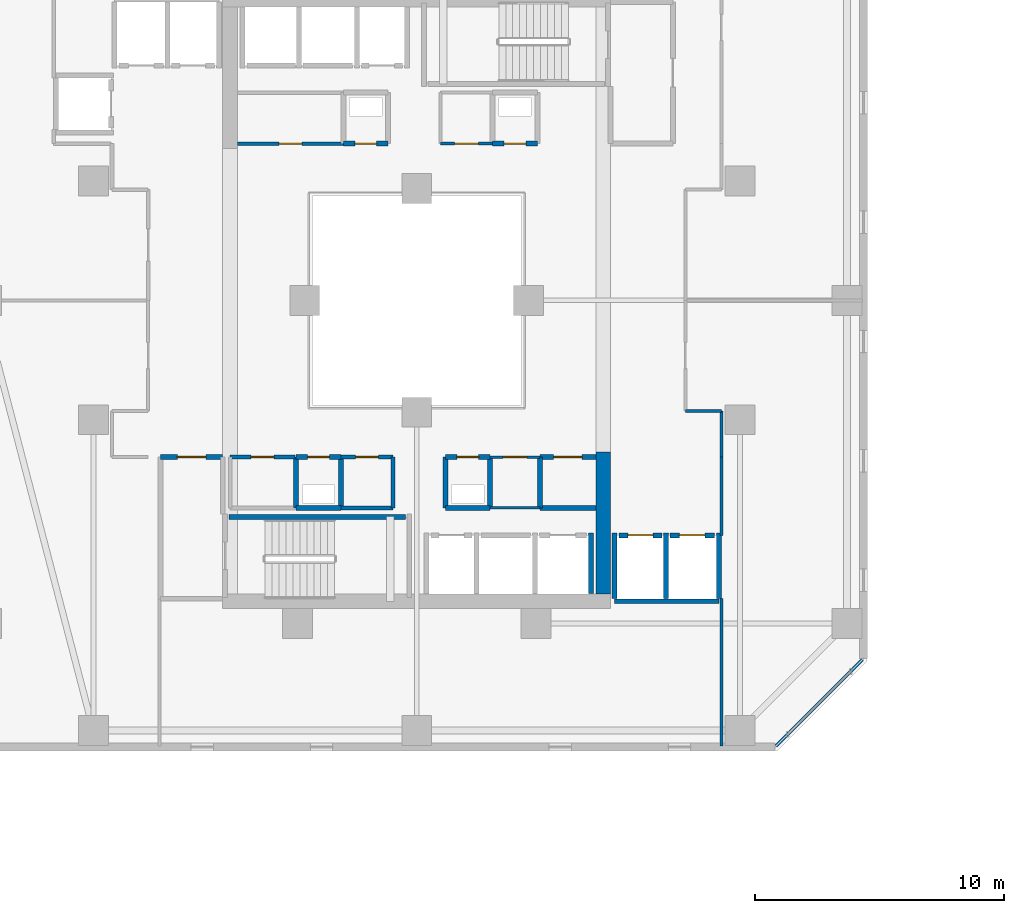
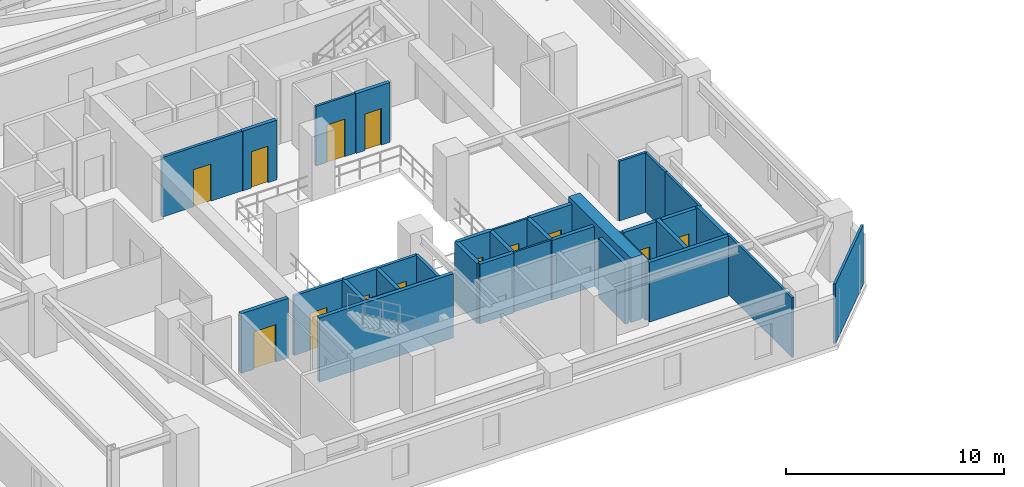
# One storey, part 20 of 33: 36 walls, 13 doors, 13 openings.
"""IFC4 building model written with IfcOpenShell, lengths in metres."""

from ifc_helpers import new_model, si_unit, direction, frame, frame_2d, origin, place, context, subcontext, project, spatial, rectangle, extrude, material, layer, layer_set, type_object, element, fill, save


model = new_model("IFC4")

# Units and contexts
model_context = context("Model", 3, precision=1e-05, world=origin(), true_north=direction((0.0, 1.0)))
body_context = subcontext(model_context, "Body", "Model", "MODEL_VIEW")
ifc_project = project(units=[si_unit("LENGTHUNIT", "METRE"), si_unit("AREAUNIT", "SQUARE_METRE"), si_unit("VOLUMEUNIT", "CUBIC_METRE"), si_unit("PLANEANGLEUNIT", "RADIAN"), si_unit("MASSUNIT", "GRAM", prefix="KILO")], contexts=[model_context])

# Site, building, storey
site_placement = place(None, origin())
site = spatial("IfcSite", under=ifc_project, at=site_placement, CompositionType="ELEMENT")
building_placement = place(site_placement, origin())
building = spatial("IfcBuilding", under=site, at=building_placement, Name="Thornwick Lancets Civic Towers", CompositionType="ELEMENT")
storey_placement = place(building_placement, frame((0.0, 0.0, 105.300048828125)))
storey = spatial("IfcBuildingStorey", under=building, at=storey_placement, Name="L27", CompositionType="ELEMENT", Elevation=105.300048828125)

# Wall, opening, door
ifc_material_1 = material(Name="Concrete blockwork C40/50", Category="masonry")
ifc_layer_1 = layer(ifc_material_1, 0.199951171875, Name="Concrete blockwork C40/50")
ifc_layer_set_1 = layer_set([ifc_layer_1], Name="Concrete blockwork C40/50")
wall_type_1 = type_object("IfcWallType", Name="WALL_COMP_200", PredefinedType="STANDARD", material=ifc_layer_set_1)
wall_1_placement = place(storey_placement, frame((33.6298828125, 17.550048828125, 0.0), z_axis=(0.0, 0.0, 1.0), x_axis=(1.0, 0.0, 0.0)))
wall_1 = element("IfcWall", 1, at=wall_1_placement, inside=storey, type_object=wall_type_1, Name="L27 Hoistway Front Wall PL-AL2", PredefinedType="STANDARD", context=body_context, shape_type="SweptSolid", body=[
    extrude(rectangle(XDim=1.740234375, YDim=0.199951171875, at=frame_2d((0.8701171875, 0.0))), origin(), (0.0, 0.0, 1.0), 3.33984375),
])
opening_1_placement = place(wall_1_placement, frame((0.360107421875, 0.0, 0.0)))
opening_1 = element("IfcOpeningElement", 2, at=opening_1_placement, cuts=wall_1, Name="Opening LD-PL-AL2", PredefinedType="OPENING", context=body_context, shape_type="SweptSolid", body=[
    extrude(rectangle(XDim=1.02001953125, YDim=2.06005859375, at=frame_2d((0.510009765625, 1.030029296875))), frame((0.0, 0.10986328125, 0.0), z_axis=(0.0, -1.0, 0.0), x_axis=(1.0, 0.0, 0.0)), (0.0, 0.0, 1.0), 0.219970703125),
])
ifc_material_2 = material(Name="Brushed bronze stainless steel", Category="steel")
door_type_1 = type_object("IfcDoorType", Name="DOOR_LIFT_SLIDE", OperationType="SLIDING_TO_LEFT", PredefinedType="DOOR", material=ifc_material_2)
door_1_placement = place(opening_1_placement, origin())
door_1 = element("IfcDoor", 3, at=door_1_placement, inside=storey, type_object=door_type_1, Name="L27 Sliding Lift Landing Door LD-PL-AL2", OperationType="SLIDING_TO_LEFT", OverallHeight=2.06005859375, OverallWidth=1.02001953125, PredefinedType="DOOR", context=body_context, shape_type="SweptSolid", body=[
    extrude(rectangle(XDim=1.02001953125, YDim=2.06005859375, at=frame_2d((0.510009765625, 1.030029296875))), frame((0.0, 0.02490234375, 0.0), z_axis=(0.0, -1.0, 0.0), x_axis=(1.0, 0.0, 0.0)), (0.0, 0.0, 1.0), 0.050048828125),
])
fill(opening_1, door_1)

wall_2_placement = place(storey_placement, frame((35.679931640625, 17.550048828125, 0.0), z_axis=(0.0, 0.0, 1.0), x_axis=(1.0, 0.0, 0.0)))
wall_2 = element("IfcWall", 4, at=wall_2_placement, inside=storey, type_object=wall_type_1, Name="L27 Hoistway Front Wall PL-AL3", PredefinedType="STANDARD", context=body_context, shape_type="SweptSolid", body=[
    extrude(rectangle(XDim=1.7900390625, YDim=0.199951171875, at=frame_2d((0.89501953125, 0.0))), origin(), (0.0, 0.0, 1.0), 3.33984375),
])
opening_2_placement = place(wall_2_placement, frame((0.385009765625, 0.0, 0.0)))
opening_2 = element("IfcOpeningElement", 5, at=opening_2_placement, cuts=wall_2, Name="Opening LD-PL-AL3", PredefinedType="OPENING", context=body_context, shape_type="SweptSolid", body=[
    extrude(rectangle(XDim=1.02001953125, YDim=2.06005859375, at=frame_2d((0.510009765625, 1.030029296875))), frame((0.0, 0.10986328125, 0.0), z_axis=(0.0, -1.0, 0.0), x_axis=(1.0, 0.0, 0.0)), (0.0, 0.0, 1.0), 0.219970703125),
])
door_2_placement = place(opening_2_placement, origin())
door_2 = element("IfcDoor", 6, at=door_2_placement, inside=storey, type_object=door_type_1, Name="L27 Sliding Lift Landing Door LD-PL-AL3", OperationType="SLIDING_TO_LEFT", OverallHeight=2.06005859375, OverallWidth=1.02001953125, PredefinedType="DOOR", context=body_context, shape_type="SweptSolid", body=[
    extrude(rectangle(XDim=1.02001953125, YDim=2.06005859375, at=frame_2d((0.510009765625, 1.030029296875))), frame((0.0, 0.02490234375, 0.0), z_axis=(0.0, -1.0, 0.0), x_axis=(1.0, 0.0, 0.0)), (0.0, 0.0, 1.0), 0.050048828125),
])
fill(opening_2, door_2)

# Walls
wall_3_placement = place(storey_placement, frame((32.5, 15.2119140625, 0.0), z_axis=(0.0, 0.0, 1.0), x_axis=(0.0, 1.0, 0.0)))
element("IfcWall", 7, at=wall_3_placement, inside=storey, type_object=wall_type_1, Name="L27 Hoistway Shaft Wall PL-AL1 E", PredefinedType="STANDARD", context=body_context, shape_type="SweptSolid", body=[
    extrude(rectangle(XDim=2.43603515625, YDim=0.199951171875, at=frame_2d((1.218017578125, 0.0))), origin(), (0.0, 0.0, 1.0), 3.33984375),
])
wall_4_placement = place(storey_placement, frame((33.451904296875, 14.89990234375, 0.0), z_axis=(0.0, 0.0, 1.0), x_axis=(1.0, 0.0, 0.0)))
element("IfcWall", 8, at=wall_4_placement, inside=storey, type_object=wall_type_1, Name="L27 Hoistway Shaft Wall PL-AL2 S", PredefinedType="STANDARD", context=body_context, shape_type="SweptSolid", body=[
    extrude(rectangle(XDim=4.196044921875, YDim=0.199951171875, at=frame_2d((2.09814453125, 0.0))), origin(), (0.0, 0.0, 1.0), 3.33984375),
])
for number, where, z_axis, x_axis, name in (
    (9, (35.52490234375, 15.011962890625, 0.0), (0.0, 0.0, 1.0), (0.0, 1.0, 0.0), "L27 Hoistway Shaft Wall PL-AL2 E"),
    (10, (33.449951171875, 15.011962890625, 0.0), (0.0, 0.0, 1.0), (0.0, 1.0, 0.0), "L27 Hoistway Shaft Wall PL-AL2 W"),
    (11, (37.64990234375, 15.011962890625, 0.0), (0.0, 0.0, 1.0), (0.0, 1.0, 0.0), "L27 Hoistway Shaft Wall PL-AL3 E"),
):
    element("IfcWall", number, at=place(storey_placement, frame(where, z_axis=z_axis, x_axis=x_axis)), inside=storey, type_object=wall_type_1, Name=name, PredefinedType="STANDARD", context=body_context, shape_type="SweptSolid", body=[
        extrude(rectangle(XDim=2.635986328125, YDim=0.199951171875, at=frame_2d((1.31787109375, 0.0))), origin(), (0.0, 0.0, 1.0), 3.33984375),
    ])

# Wall, opening, door
wall_5_placement = place(storey_placement, frame((17.699951171875, 20.699951171875, 0.0), z_axis=(0.0, 0.0, 1.0), x_axis=(-1.0, 0.0, 0.0)))
wall_5 = element("IfcWall", 12, at=wall_5_placement, inside=storey, type_object=wall_type_1, Name="L27 Partition L27-A-FFLOB1 E3", PredefinedType="STANDARD", context=body_context, shape_type="SweptSolid", body=[
    extrude(rectangle(XDim=2.5, YDim=0.199951171875, at=frame_2d((1.25, 0.0))), origin(), (0.0, 0.0, 1.0), 3.33984375),
])
opening_3_placement = place(wall_5_placement, frame((0.675048828125, 0.0, 0.0)))
opening_3 = element("IfcOpeningElement", 13, at=opening_3_placement, cuts=wall_5, Name="Opening D-L27-1233", PredefinedType="OPENING", context=body_context, shape_type="SweptSolid", body=[
    extrude(rectangle(XDim=1.14990234375, YDim=2.10009765625, at=frame_2d((0.574951171875, 1.050048828125))), frame((0.0, 0.10986328125, 0.0), z_axis=(0.0, -1.0, 0.0), x_axis=(1.0, 0.0, 0.0)), (0.0, 0.0, 1.0), 0.219970703125),
])
ifc_material_3 = material(Name="Glazed fire-resisting steel", Category="steel")
door_type_2 = type_object("IfcDoorType", Name="DOOR_LOBBY_FD60", OperationType="NOTDEFINED", PredefinedType="DOOR", material=ifc_material_3)
door_3_placement = place(opening_3_placement, origin())
door_3 = element("IfcDoor", 14, at=door_3_placement, inside=storey, type_object=door_type_2, Name="L27 South Firefighting Lobby 1 Door", OperationType="SINGLE_SWING_RIGHT", OverallHeight=2.10009765625, OverallWidth=1.14990234375, PredefinedType="DOOR", context=body_context, shape_type="SweptSolid", body=[
    extrude(rectangle(XDim=1.14990234375, YDim=2.10009765625, at=frame_2d((0.574951171875, 1.050048828125))), frame((0.0, 0.02490234375, 0.0), z_axis=(0.0, -1.0, 0.0), x_axis=(1.0, 0.0, 0.0)), (0.0, 0.0, 1.0), 0.050048828125),
])
fill(opening_3, door_3)

# Walls
wall_6_placement = place(storey_placement, frame((26.64990234375, 18.64990234375, 0.0), z_axis=(0.0, 0.0, 1.0), x_axis=(1.0, 0.0, 0.0)))
element("IfcWall", 15, at=wall_6_placement, inside=storey, type_object=wall_type_1, Name="L27 Partition L27-A-DUCT1 E1", PredefinedType="STANDARD", context=body_context, shape_type="SweptSolid", body=[
    extrude(rectangle(XDim=1.800048828125, YDim=0.199951171875, at=frame_2d((0.89990234375, 0.0))), origin(), (0.0, 0.0, 1.0), 3.33984375),
])
wall_7_placement = place(storey_placement, frame((28.449951171875, 18.64990234375, 0.0), z_axis=(0.0, 0.0, 1.0), x_axis=(0.0, 1.0, 0.0)))
element("IfcWall", 16, at=wall_7_placement, inside=storey, type_object=wall_type_1, Name="L27 Partition L27-A-DUCT1 E2", PredefinedType="STANDARD", context=body_context, shape_type="SweptSolid", body=[
    extrude(rectangle(XDim=2.050048828125, YDim=0.199951171875, at=frame_2d((1.02490234375, 0.0))), origin(), (0.0, 0.0, 1.0), 3.33984375),
])

# Wall, opening, door
wall_8_placement = place(storey_placement, frame((28.449951171875, 20.699951171875, 0.0), z_axis=(0.0, 0.0, 1.0), x_axis=(-1.0, 0.0, 0.0)))
wall_8 = element("IfcWall", 17, at=wall_8_placement, inside=storey, type_object=wall_type_1, Name="L27 Partition L27-A-DUCT1 E3", PredefinedType="STANDARD", context=body_context, shape_type="SweptSolid", body=[
    extrude(rectangle(XDim=1.800048828125, YDim=0.199951171875, at=frame_2d((0.89990234375, 0.0))), origin(), (0.0, 0.0, 1.0), 3.33984375),
])
opening_4_placement = place(wall_8_placement, frame((0.4599609375, 0.0, 0.0)))
opening_4 = element("IfcOpeningElement", 18, at=opening_4_placement, cuts=wall_8, Name="Opening D-L27-1235", PredefinedType="OPENING", context=body_context, shape_type="SweptSolid", body=[
    extrude(rectangle(XDim=0.8798828125, YDim=2.0400390625, at=frame_2d((0.43994140625, 1.02001953125))), frame((0.0, 0.10986328125, 0.0), z_axis=(0.0, -1.0, 0.0), x_axis=(1.0, 0.0, 0.0)), (0.0, 0.0, 1.0), 0.219970703125),
])
ifc_material_4 = material(Name="Steel riser access doorset", Category="steel")
door_type_3 = type_object("IfcDoorType", Name="DOOR_RISER_850", OperationType="NOTDEFINED", PredefinedType="DOOR", material=ifc_material_4)
door_4_placement = place(opening_4_placement, origin())
door_4 = element("IfcDoor", 19, at=door_4_placement, inside=storey, type_object=door_type_3, Name="L27 South Service Duct 1 Door", OperationType="SINGLE_SWING_RIGHT", OverallHeight=2.0400390625, OverallWidth=0.8798828125, PredefinedType="DOOR", context=body_context, shape_type="SweptSolid", body=[
    extrude(rectangle(XDim=0.8798828125, YDim=2.0400390625, at=frame_2d((0.43994140625, 1.02001953125))), frame((0.0, 0.02490234375, 0.0), z_axis=(0.0, -1.0, 0.0), x_axis=(1.0, 0.0, 0.0)), (0.0, 0.0, 1.0), 0.050048828125),
])
fill(opening_4, door_4)

# Walls
wall_9_placement = place(storey_placement, frame((26.64990234375, 20.699951171875, 0.0), z_axis=(0.0, 0.0, 1.0), x_axis=(0.0, -1.0, 0.0)))
element("IfcWall", 20, at=wall_9_placement, inside=storey, type_object=wall_type_1, Name="L27 Partition L27-A-DUCT1 E4", PredefinedType="STANDARD", context=body_context, shape_type="SweptSolid", body=[
    extrude(rectangle(XDim=2.050048828125, YDim=0.199951171875, at=frame_2d((1.02490234375, 0.0))), origin(), (0.0, 0.0, 1.0), 3.33984375),
])
wall_10_placement = place(storey_placement, frame((20.64990234375, 18.64990234375, 0.0), z_axis=(0.0, 0.0, 1.0), x_axis=(1.0, 0.0, 0.0)))
element("IfcWall", 21, at=wall_10_placement, inside=storey, type_object=wall_type_1, Name="L27 Partition L27-A-RISER1 E1", PredefinedType="STANDARD", context=body_context, shape_type="SweptSolid", body=[
    extrude(rectangle(XDim=1.800048828125, YDim=0.199951171875, at=frame_2d((0.89990234375, 0.0))), origin(), (0.0, 0.0, 1.0), 3.33984375),
])
wall_11_placement = place(storey_placement, frame((22.449951171875, 18.64990234375, 0.0), z_axis=(0.0, 0.0, 1.0), x_axis=(0.0, 1.0, 0.0)))
element("IfcWall", 22, at=wall_11_placement, inside=storey, type_object=wall_type_1, Name="L27 Partition L27-A-RISER1 E2", PredefinedType="STANDARD", context=body_context, shape_type="SweptSolid", body=[
    extrude(rectangle(XDim=2.050048828125, YDim=0.199951171875, at=frame_2d((1.02490234375, 0.0))), origin(), (0.0, 0.0, 1.0), 3.33984375),
])

# Wall, opening, door
wall_12_placement = place(storey_placement, frame((22.449951171875, 20.699951171875, 0.0), z_axis=(0.0, 0.0, 1.0), x_axis=(-1.0, 0.0, 0.0)))
wall_12 = element("IfcWall", 23, at=wall_12_placement, inside=storey, type_object=wall_type_1, Name="L27 Partition L27-A-RISER1 E3", PredefinedType="STANDARD", context=body_context, shape_type="SweptSolid", body=[
    extrude(rectangle(XDim=1.800048828125, YDim=0.199951171875, at=frame_2d((0.89990234375, 0.0))), origin(), (0.0, 0.0, 1.0), 3.33984375),
])
opening_5_placement = place(wall_12_placement, frame((0.4599609375, 0.0, 0.0)))
opening_5 = element("IfcOpeningElement", 24, at=opening_5_placement, cuts=wall_12, Name="Opening D-L27-1236", PredefinedType="OPENING", context=body_context, shape_type="SweptSolid", body=[
    extrude(rectangle(XDim=0.8798828125, YDim=2.0400390625, at=frame_2d((0.43994140625, 1.02001953125))), frame((0.0, 0.10986328125, 0.0), z_axis=(0.0, -1.0, 0.0), x_axis=(1.0, 0.0, 0.0)), (0.0, 0.0, 1.0), 0.219970703125),
])
door_5_placement = place(opening_5_placement, origin())
door_5 = element("IfcDoor", 25, at=door_5_placement, inside=storey, type_object=door_type_3, Name="L27 South Electrical Riser 1 Door", OperationType="SINGLE_SWING_LEFT", OverallHeight=2.0400390625, OverallWidth=0.8798828125, PredefinedType="DOOR", context=body_context, shape_type="SweptSolid", body=[
    extrude(rectangle(XDim=0.8798828125, YDim=2.0400390625, at=frame_2d((0.43994140625, 1.02001953125))), frame((0.0, 0.02490234375, 0.0), z_axis=(0.0, -1.0, 0.0), x_axis=(1.0, 0.0, 0.0)), (0.0, 0.0, 1.0), 0.050048828125),
])
fill(opening_5, door_5)

# Wall
wall_13_placement = place(storey_placement, frame((20.64990234375, 20.699951171875, 0.0), z_axis=(0.0, 0.0, 1.0), x_axis=(0.0, -1.0, 0.0)))
element("IfcWall", 26, at=wall_13_placement, inside=storey, type_object=wall_type_1, Name="L27 Partition L27-A-RISER1 E4", PredefinedType="STANDARD", context=body_context, shape_type="SweptSolid", body=[
    extrude(rectangle(XDim=2.050048828125, YDim=0.199951171875, at=frame_2d((1.02490234375, 0.0))), origin(), (0.0, 0.0, 1.0), 3.33984375),
])

# Wall, opening, door
wall_14_placement = place(storey_placement, frame((22.550048828125, 33.300048828125, 0.0), z_axis=(0.0, 0.0, 1.0), x_axis=(1.0, 0.0, 0.0)))
wall_14 = element("IfcWall", 27, at=wall_14_placement, inside=storey, type_object=wall_type_1, Name="L27 Partition L27-A-DUCT2 E1", PredefinedType="STANDARD", context=body_context, shape_type="SweptSolid", body=[
    extrude(rectangle(XDim=1.800048828125, YDim=0.199951171875, at=frame_2d((0.89990234375, 0.0))), origin(), (0.0, 0.0, 1.0), 3.33984375),
])
opening_6_placement = place(wall_14_placement, frame((0.4599609375, 0.0, 0.0)))
opening_6 = element("IfcOpeningElement", 28, at=opening_6_placement, cuts=wall_14, Name="Opening D-L27-1237", PredefinedType="OPENING", context=body_context, shape_type="SweptSolid", body=[
    extrude(rectangle(XDim=0.8798828125, YDim=2.0400390625, at=frame_2d((0.43994140625, 1.02001953125))), frame((0.0, 0.10986328125, 0.0), z_axis=(0.0, -1.0, 0.0), x_axis=(1.0, 0.0, 0.0)), (0.0, 0.0, 1.0), 0.219970703125),
])
door_6_placement = place(opening_6_placement, origin())
door_6 = element("IfcDoor", 29, at=door_6_placement, inside=storey, type_object=door_type_3, Name="L27 North Service Duct 2 Door", OperationType="SINGLE_SWING_RIGHT", OverallHeight=2.0400390625, OverallWidth=0.8798828125, PredefinedType="DOOR", context=body_context, shape_type="SweptSolid", body=[
    extrude(rectangle(XDim=0.8798828125, YDim=2.0400390625, at=frame_2d((0.43994140625, 1.02001953125))), frame((0.0, 0.02490234375, 0.0), z_axis=(0.0, -1.0, 0.0), x_axis=(1.0, 0.0, 0.0)), (0.0, 0.0, 1.0), 0.050048828125),
])
fill(opening_6, door_6)

wall_15_placement = place(storey_placement, frame((28.550048828125, 33.300048828125, 0.0), z_axis=(0.0, 0.0, 1.0), x_axis=(1.0, 0.0, 0.0)))
wall_15 = element("IfcWall", 30, at=wall_15_placement, inside=storey, type_object=wall_type_1, Name="L27 Partition L27-A-RISER2 E1", PredefinedType="STANDARD", context=body_context, shape_type="SweptSolid", body=[
    extrude(rectangle(XDim=1.800048828125, YDim=0.199951171875, at=frame_2d((0.89990234375, 0.0))), origin(), (0.0, 0.0, 1.0), 3.33984375),
])
opening_7_placement = place(wall_15_placement, frame((0.4599609375, 0.0, 0.0)))
opening_7 = element("IfcOpeningElement", 31, at=opening_7_placement, cuts=wall_15, Name="Opening D-L27-1238", PredefinedType="OPENING", context=body_context, shape_type="SweptSolid", body=[
    extrude(rectangle(XDim=0.8798828125, YDim=2.0400390625, at=frame_2d((0.43994140625, 1.02001953125))), frame((0.0, 0.10986328125, 0.0), z_axis=(0.0, -1.0, 0.0), x_axis=(1.0, 0.0, 0.0)), (0.0, 0.0, 1.0), 0.219970703125),
])
door_7_placement = place(opening_7_placement, origin())
door_7 = element("IfcDoor", 32, at=door_7_placement, inside=storey, type_object=door_type_3, Name="L27 North Service Riser 2 Door", OperationType="SINGLE_SWING_LEFT", OverallHeight=2.0400390625, OverallWidth=0.8798828125, PredefinedType="DOOR", context=body_context, shape_type="SweptSolid", body=[
    extrude(rectangle(XDim=0.8798828125, YDim=2.0400390625, at=frame_2d((0.43994140625, 1.02001953125))), frame((0.0, 0.02490234375, 0.0), z_axis=(0.0, -1.0, 0.0), x_axis=(1.0, 0.0, 0.0)), (0.0, 0.0, 1.0), 0.050048828125),
])
fill(opening_7, door_7)

# Walls
wall_16_placement = place(storey_placement, frame((32.699951171875, 18.64990234375, 0.0), z_axis=(0.0, 0.0, 1.0), x_axis=(-1.0, 0.0, 0.0)))
element("IfcWall", 33, at=wall_16_placement, inside=storey, type_object=wall_type_1, Name="L27 Partition L27-A-ITR2 E2", PredefinedType="STANDARD", context=body_context, shape_type="SweptSolid", body=[
    extrude(rectangle(XDim=2.25, YDim=0.199951171875, at=frame_2d((1.125, 0.0))), origin(), (0.0, 0.0, 1.0), 3.33984375),
])
wall_17_placement = place(storey_placement, frame((30.449951171875, 18.64990234375, 0.0), z_axis=(0.0, 0.0, 1.0), x_axis=(0.0, 1.0, 0.0)))
element("IfcWall", 34, at=wall_17_placement, inside=storey, type_object=wall_type_1, Name="L27 Partition L27-A-ITR2 E3", PredefinedType="STANDARD", context=body_context, shape_type="SweptSolid", body=[
    extrude(rectangle(XDim=2.050048828125, YDim=0.199951171875, at=frame_2d((1.02490234375, 0.0))), origin(), (0.0, 0.0, 1.0), 3.33984375),
])

# Wall, opening, door
wall_18_placement = place(storey_placement, frame((30.449951171875, 20.699951171875, 0.0), z_axis=(0.0, 0.0, 1.0), x_axis=(1.0, 0.0, 0.0)))
wall_18 = element("IfcWall", 35, at=wall_18_placement, inside=storey, type_object=wall_type_1, Name="L27 Partition L27-A-ITR2 E4", PredefinedType="STANDARD", context=body_context, shape_type="SweptSolid", body=[
    extrude(rectangle(XDim=2.25, YDim=0.199951171875, at=frame_2d((1.125, 0.0))), origin(), (0.0, 0.0, 1.0), 3.33984375),
])
opening_8_placement = place(wall_18_placement, frame((0.550048828125, 0.0, 0.0)))
opening_8 = element("IfcOpeningElement", 36, at=opening_8_placement, cuts=wall_18, Name="Opening D-L27-1242", PredefinedType="OPENING", context=body_context, shape_type="SweptSolid", body=[
    extrude(rectangle(XDim=1.14990234375, YDim=2.10009765625, at=frame_2d((0.574951171875, 1.050048828125))), frame((0.0, 0.10986328125, 0.0), z_axis=(0.0, -1.0, 0.0), x_axis=(1.0, 0.0, 0.0)), (0.0, 0.0, 1.0), 0.219970703125),
])
door_8_placement = place(opening_8_placement, origin())
door_8 = element("IfcDoor", 37, at=door_8_placement, inside=storey, type_object=door_type_2, Name="L27 Tower A Statutory Core Archive Door", OperationType="SINGLE_SWING_LEFT", OverallHeight=2.10009765625, OverallWidth=1.14990234375, PredefinedType="DOOR", context=body_context, shape_type="SweptSolid", body=[
    extrude(rectangle(XDim=1.14990234375, YDim=2.10009765625, at=frame_2d((0.574951171875, 1.050048828125))), frame((0.0, 0.02490234375, 0.0), z_axis=(0.0, -1.0, 0.0), x_axis=(1.0, 0.0, 0.0)), (0.0, 0.0, 1.0), 0.050048828125),
])
fill(opening_8, door_8)

# Walls
ifc_material_5 = material(Name="Concrete C60/75", Category="concrete")
ifc_layer_2 = layer(ifc_material_5, 0.60009765625, Name="Concrete C60/75")
ifc_layer_set_2 = layer_set([ifc_layer_2], Name="Concrete C60/75")
wall_type_2 = type_object("IfcWallType", Name="WALL_CORE_600", PredefinedType="SHEAR", material=ifc_layer_set_2)
wall_19_placement = place(storey_placement, frame((33.0, 15.199951171875, 0.0), z_axis=(0.0, 0.0, 1.0), x_axis=(0.0, 1.0, 0.0)))
element("IfcWall", 38, at=wall_19_placement, inside=storey, type_object=wall_type_2, Name="L27 Split Core A1 Shear Wall E", PredefinedType="SHEAR", context=body_context, shape_type="SweptSolid", body=[
    extrude(rectangle(XDim=5.699951171875, YDim=0.60009765625, at=frame_2d((2.85009765625, 0.0))), origin(), (0.0, 0.0, 1.0), 3.599853515625),
])
ifc_material_6 = material(Name="Lightweight cellular office partition")
ifc_layer_3 = layer(ifc_material_6, 0.10009765625, Name="Lightweight cellular office partition")
ifc_layer_set_3 = layer_set([ifc_layer_3], Name="Lightweight cellular office partition")
wall_type_3 = type_object("IfcWallType", Name="WALL_PART_100", PredefinedType="PARTITIONING", material=ifc_layer_set_3)
wall_20_placement = place(storey_placement, frame((30.449951171875, 18.64990234375, 0.0), z_axis=(0.0, 0.0, 1.0), x_axis=(-1.0, 0.0, 0.0)))
element("IfcWall", 39, at=wall_20_placement, inside=storey, type_object=wall_type_3, Name="L27 Partition L27-A-CLN E2", PredefinedType="PARTITIONING", context=body_context, shape_type="SweptSolid", body=[
    extrude(rectangle(XDim=2.0, YDim=0.10009765625, at=frame_2d((1.0, 0.0))), origin(), (0.0, 0.0, 1.0), 3.33984375),
])

# Wall, opening, door
wall_21_placement = place(storey_placement, frame((28.449951171875, 20.699951171875, 0.0), z_axis=(0.0, 0.0, 1.0), x_axis=(1.0, 0.0, 0.0)))
wall_21 = element("IfcWall", 40, at=wall_21_placement, inside=storey, type_object=wall_type_3, Name="L27 Partition L27-A-CLN E4", PredefinedType="PARTITIONING", context=body_context, shape_type="SweptSolid", body=[
    extrude(rectangle(XDim=2.0, YDim=0.10009765625, at=frame_2d((1.0, 0.0))), origin(), (0.0, 0.0, 1.0), 3.33984375),
])
opening_9_placement = place(wall_21_placement, frame((0.52490234375, 0.0, 0.0)))
opening_9 = element("IfcOpeningElement", 41, at=opening_9_placement, cuts=wall_21, Name="Opening D-L27-1241", PredefinedType="OPENING", context=body_context, shape_type="SweptSolid", body=[
    extrude(rectangle(XDim=0.949951171875, YDim=2.10009765625, at=frame_2d((0.47509765625, 1.050048828125))), frame((0.0, 0.06005859375, 0.0), z_axis=(0.0, -1.0, 0.0), x_axis=(1.0, 0.0, 0.0)), (0.0, 0.0, 1.0), 0.1201171875),
])
ifc_material_7 = material(Name="European oak acoustic doorset")
door_type_4 = type_object("IfcDoorType", Name="DOOR_OFFICE_950", OperationType="NOTDEFINED", PredefinedType="DOOR", material=ifc_material_7)
door_9_placement = place(opening_9_placement, origin())
door_9 = element("IfcDoor", 42, at=door_9_placement, inside=storey, type_object=door_type_4, Name="L27 Tower A Cleaners Store Door", OperationType="SINGLE_SWING_RIGHT", OverallHeight=2.10009765625, OverallWidth=0.949951171875, PredefinedType="DOOR", context=body_context, shape_type="SweptSolid", body=[
    extrude(rectangle(XDim=0.949951171875, YDim=2.10009765625, at=frame_2d((0.47509765625, 1.050048828125))), frame((0.0, 0.02490234375, 0.0), z_axis=(0.0, -1.0, 0.0), x_axis=(1.0, 0.0, 0.0)), (0.0, 0.0, 1.0), 0.050048828125),
])
fill(opening_9, door_9)

ifc_material_8 = material(Name="Acoustic gypsum board partition")
ifc_layer_4 = layer(ifc_material_8, 0.1201171875, Name="Acoustic gypsum board partition")
ifc_layer_set_4 = layer_set([ifc_layer_4], Name="Acoustic gypsum board partition")
wall_type_4 = type_object("IfcWallType", Name="WALL_PART_120", PredefinedType="PARTITIONING", material=ifc_layer_set_4)
wall_22_placement = place(storey_placement, frame((28.550048828125, 33.300048828125, 0.0), z_axis=(0.0, 0.0, 1.0), x_axis=(-1.0, 0.0, 0.0)))
wall_22 = element("IfcWall", 43, at=wall_22_placement, inside=storey, type_object=wall_type_4, Name="L27 Partition L27-A-ITR E4", PredefinedType="PARTITIONING", context=body_context, shape_type="SweptSolid", body=[
    extrude(rectangle(XDim=2.10009765625, YDim=0.1201171875, at=frame_2d((1.050048828125, 0.0))), origin(), (0.0, 0.0, 1.0), 3.33984375),
])
opening_10_placement = place(wall_22_placement, frame((0.574951171875, 0.0, 0.0)))
opening_10 = element("IfcOpeningElement", 44, at=opening_10_placement, cuts=wall_22, Name="Opening D-L27-1244", PredefinedType="OPENING", context=body_context, shape_type="SweptSolid", body=[
    extrude(rectangle(XDim=0.949951171875, YDim=2.10009765625, at=frame_2d((0.47509765625, 1.050048828125))), frame((0.0, 0.070068359375, 0.0), z_axis=(0.0, -1.0, 0.0), x_axis=(1.0, 0.0, 0.0)), (0.0, 0.0, 1.0), 0.14013671875),
])
door_10_placement = place(opening_10_placement, origin())
door_10 = element("IfcDoor", 45, at=door_10_placement, inside=storey, type_object=door_type_4, Name="L27 Tower A Comms Patch Room Door", OperationType="SINGLE_SWING_LEFT", OverallHeight=2.10009765625, OverallWidth=0.949951171875, PredefinedType="DOOR", context=body_context, shape_type="SweptSolid", body=[
    extrude(rectangle(XDim=0.949951171875, YDim=2.10009765625, at=frame_2d((0.47509765625, 1.050048828125))), frame((0.0, 0.02490234375, 0.0), z_axis=(0.0, -1.0, 0.0), x_axis=(1.0, 0.0, 0.0)), (0.0, 0.0, 1.0), 0.050048828125),
])
fill(opening_10, door_10)

# Walls
wall_23_placement = place(storey_placement, frame((37.75, 17.550048828125, 0.0), z_axis=(0.0, 0.0, 1.0), x_axis=(0.0, 1.0, 0.0)))
element("IfcWall", 46, at=wall_23_placement, inside=storey, type_object=wall_type_4, Name="L27 Partition L27-A-E1 E1", PredefinedType="PARTITIONING", context=body_context, shape_type="SweptSolid", body=[
    extrude(rectangle(XDim=3.14990234375, YDim=0.1201171875, at=frame_2d((1.574951171875, 0.0))), origin(), (0.0, 0.0, 1.0), 3.33984375),
])
wall_24_placement = place(storey_placement, frame((37.75, 20.699951171875, 0.0), z_axis=(0.0, 0.0, 1.0), x_axis=(0.0, 1.0, 0.0)))
element("IfcWall", 47, at=wall_24_placement, inside=storey, type_object=wall_type_4, Name="L27 Partition L27-A-E1 E2", PredefinedType="PARTITIONING", context=body_context, shape_type="SweptSolid", body=[
    extrude(rectangle(XDim=1.85009765625, YDim=0.1201171875, at=frame_2d((0.925048828125, 0.0))), origin(), (0.0, 0.0, 1.0), 3.33984375),
])
wall_25_placement = place(storey_placement, frame((37.75, 22.550048828125, 0.0), z_axis=(0.0, 0.0, 1.0), x_axis=(-1.0, 0.0, 0.0)))
element("IfcWall", 48, at=wall_25_placement, inside=storey, type_object=wall_type_4, Name="L27 Partition L27-A-E1 E3", PredefinedType="PARTITIONING", context=body_context, shape_type="SweptSolid", body=[
    extrude(rectangle(XDim=1.449951171875, YDim=0.1201171875, at=frame_2d((0.72509765625, 0.0))), origin(), (0.0, 0.0, 1.0), 3.33984375),
])
wall_26_placement = place(storey_placement, frame((43.419921875, 12.556640625, 0.0), z_axis=(0.0, 0.0, 1.0), x_axis=(-0.707106781187, -0.707106781187, 0.0)))
element("IfcWall", 49, at=wall_26_placement, inside=storey, type_object=wall_type_4, Name="L27 Partition L27-A-E1 E7", PredefinedType="PARTITIONING", context=body_context, shape_type="SweptSolid", body=[
    extrude(rectangle(XDim=4.91650390625, YDim=0.1201171875, at=frame_2d((2.458251953125, 0.0))), origin(), (0.0, 0.0, 1.0), 3.33984375),
])
wall_27_placement = place(storey_placement, frame((37.75, 9.080078125, 0.0), z_axis=(0.0, 0.0, 1.0), x_axis=(0.0, 1.0, 0.0)))
element("IfcWall", 50, at=wall_27_placement, inside=storey, type_object=wall_type_4, Name="L27 Partition L27-A-E1 E9", PredefinedType="PARTITIONING", context=body_context, shape_type="SweptSolid", body=[
    extrude(rectangle(XDim=5.931884765625, YDim=0.1201171875, at=frame_2d((2.9658203125, 0.0))), origin(), (0.0, 0.0, 1.0), 3.33984375),
])

# Wall, opening, door
ifc_material_9 = material(Name="Twin-stud acoustic gypsum board")
ifc_layer_5 = layer(ifc_material_9, 0.14990234375, Name="Twin-stud acoustic gypsum board")
ifc_layer_set_5 = layer_set([ifc_layer_5], Name="Twin-stud acoustic gypsum board")
wall_type_5 = type_object("IfcWallType", Name="WALL_PART_150", PredefinedType="PARTITIONING", material=ifc_layer_set_5)
wall_28_placement = place(storey_placement, frame((20.60009765625, 20.699951171875, 0.0), z_axis=(0.0, 0.0, 1.0), x_axis=(-1.0, 0.0, 0.0)))
wall_28 = element("IfcWall", 51, at=wall_28_placement, inside=storey, type_object=wall_type_5, Name="L27 Partition L27-A-MWC E3", PredefinedType="PARTITIONING", context=body_context, shape_type="SweptSolid", body=[
    extrude(rectangle(XDim=2.60009765625, YDim=0.14990234375, at=frame_2d((1.300048828125, 0.0))), origin(), (0.0, 0.0, 1.0), 3.33984375),
])
opening_11_placement = place(wall_28_placement, frame((0.840087890625, 0.0, 0.0)))
opening_11 = element("IfcOpeningElement", 52, at=opening_11_placement, cuts=wall_28, Name="Opening D-L27-1239", PredefinedType="OPENING", context=body_context, shape_type="SweptSolid", body=[
    extrude(rectangle(XDim=0.919921875, YDim=2.080078125, at=frame_2d((0.4599609375, 1.0400390625))), frame((0.0, 0.0849609375, 0.0), z_axis=(0.0, -1.0, 0.0), x_axis=(1.0, 0.0, 0.0)), (0.0, 0.0, 1.0), 0.169921875),
])
ifc_material_10 = material(Name="Moisture-resistant oak doorset")
door_type_5 = type_object("IfcDoorType", Name="DOOR_WC_900", OperationType="NOTDEFINED", PredefinedType="DOOR", material=ifc_material_10)
door_11_placement = place(opening_11_placement, origin())
door_11 = element("IfcDoor", 53, at=door_11_placement, inside=storey, type_object=door_type_5, Name="L27 Tower A Male WC Door", OperationType="SINGLE_SWING_RIGHT", OverallHeight=2.080078125, OverallWidth=0.919921875, PredefinedType="DOOR", context=body_context, shape_type="SweptSolid", body=[
    extrude(rectangle(XDim=0.919921875, YDim=2.080078125, at=frame_2d((0.4599609375, 1.0400390625))), frame((0.0, 0.02490234375, 0.0), z_axis=(0.0, -1.0, 0.0), x_axis=(1.0, 0.0, 0.0)), (0.0, 0.0, 1.0), 0.050048828125),
])
fill(opening_11, door_11)

# Walls
wall_29_placement = place(storey_placement, frame((24.550048828125, 20.699951171875, 0.0), z_axis=(0.0, 0.0, 1.0), x_axis=(0.0, -1.0, 0.0)))
element("IfcWall", 54, at=wall_29_placement, inside=storey, type_object=wall_type_5, Name="L27 Partition L27-A-AWC E1", PredefinedType="PARTITIONING", context=body_context, shape_type="SweptSolid", body=[
    extrude(rectangle(XDim=2.050048828125, YDim=0.14990234375, at=frame_2d((1.02490234375, 0.0))), origin(), (0.0, 0.0, 1.0), 3.33984375),
])
wall_30_placement = place(storey_placement, frame((24.550048828125, 18.64990234375, 0.0), z_axis=(0.0, 0.0, 1.0), x_axis=(-1.0, 0.0, 0.0)))
element("IfcWall", 55, at=wall_30_placement, inside=storey, type_object=wall_type_5, Name="L27 Partition L27-A-AWC E2", PredefinedType="PARTITIONING", context=body_context, shape_type="SweptSolid", body=[
    extrude(rectangle(XDim=2.10009765625, YDim=0.14990234375, at=frame_2d((1.050048828125, 0.0))), origin(), (0.0, 0.0, 1.0), 3.33984375),
])

# Wall, opening, door
wall_31_placement = place(storey_placement, frame((22.449951171875, 20.699951171875, 0.0), z_axis=(0.0, 0.0, 1.0), x_axis=(1.0, 0.0, 0.0)))
wall_31 = element("IfcWall", 56, at=wall_31_placement, inside=storey, type_object=wall_type_5, Name="L27 Partition L27-A-AWC E4", PredefinedType="PARTITIONING", context=body_context, shape_type="SweptSolid", body=[
    extrude(rectangle(XDim=2.10009765625, YDim=0.14990234375, at=frame_2d((1.050048828125, 0.0))), origin(), (0.0, 0.0, 1.0), 3.33984375),
])
opening_12_placement = place(wall_31_placement, frame((0.590087890625, 0.0, 0.0)))
opening_12 = element("IfcOpeningElement", 57, at=opening_12_placement, cuts=wall_31, Name="Opening D-L27-1240", PredefinedType="OPENING", context=body_context, shape_type="SweptSolid", body=[
    extrude(rectangle(XDim=0.919921875, YDim=2.080078125, at=frame_2d((0.4599609375, 1.0400390625))), frame((0.0, 0.0849609375, 0.0), z_axis=(0.0, -1.0, 0.0), x_axis=(1.0, 0.0, 0.0)), (0.0, 0.0, 1.0), 0.169921875),
])
door_12_placement = place(opening_12_placement, origin())
door_12 = element("IfcDoor", 58, at=door_12_placement, inside=storey, type_object=door_type_5, Name="L27 Tower A Accessible WC Door", OperationType="SINGLE_SWING_LEFT", OverallHeight=2.080078125, OverallWidth=0.919921875, PredefinedType="DOOR", context=body_context, shape_type="SweptSolid", body=[
    extrude(rectangle(XDim=0.919921875, YDim=2.080078125, at=frame_2d((0.4599609375, 1.0400390625))), frame((0.0, 0.02490234375, 0.0), z_axis=(0.0, -1.0, 0.0), x_axis=(1.0, 0.0, 0.0)), (0.0, 0.0, 1.0), 0.050048828125),
])
fill(opening_12, door_12)

wall_32_placement = place(storey_placement, frame((22.550048828125, 33.300048828125, 0.0), z_axis=(0.0, 0.0, 1.0), x_axis=(-1.0, 0.0, 0.0)))
wall_32 = element("IfcWall", 59, at=wall_32_placement, inside=storey, type_object=wall_type_5, Name="L27 Partition L27-A-FWC E4", PredefinedType="PARTITIONING", context=body_context, shape_type="SweptSolid", body=[
    extrude(rectangle(XDim=4.25, YDim=0.14990234375, at=frame_2d((2.125, 0.0))), origin(), (0.0, 0.0, 1.0), 3.33984375),
])
opening_13_placement = place(wall_32_placement, frame((1.6650390625, 0.0, 0.0)))
opening_13 = element("IfcOpeningElement", 60, at=opening_13_placement, cuts=wall_32, Name="Opening D-L27-1243", PredefinedType="OPENING", context=body_context, shape_type="SweptSolid", body=[
    extrude(rectangle(XDim=0.919921875, YDim=2.080078125, at=frame_2d((0.4599609375, 1.0400390625))), frame((0.0, 0.0849609375, 0.0), z_axis=(0.0, -1.0, 0.0), x_axis=(1.0, 0.0, 0.0)), (0.0, 0.0, 1.0), 0.169921875),
])
door_13_placement = place(opening_13_placement, origin())
door_13 = element("IfcDoor", 61, at=door_13_placement, inside=storey, type_object=door_type_5, Name="L27 Tower A Female WC Door", OperationType="SINGLE_SWING_RIGHT", OverallHeight=2.080078125, OverallWidth=0.919921875, PredefinedType="DOOR", context=body_context, shape_type="SweptSolid", body=[
    extrude(rectangle(XDim=0.919921875, YDim=2.080078125, at=frame_2d((0.4599609375, 1.0400390625))), frame((0.0, 0.02490234375, 0.0), z_axis=(0.0, -1.0, 0.0), x_axis=(1.0, 0.0, 0.0)), (0.0, 0.0, 1.0), 0.050048828125),
])
fill(opening_13, door_13)

# Wall
ifc_material_11 = material(Name="Concrete C40/50", Category="concrete")
ifc_layer_6 = layer(ifc_material_11, 0.199951171875, Name="Concrete C40/50")
ifc_layer_set_6 = layer_set([ifc_layer_6], Name="Concrete C40/50")
wall_type_6 = type_object("IfcWallType", Name="WALL_SHAFT_200", PredefinedType="SHEAR", material=ifc_layer_set_6)
wall_33_placement = place(storey_placement, frame((25.050048828125, 18.297119140625, 0.0), z_axis=(0.0, 0.0, 1.0), x_axis=(-1.0, 0.0, 0.0)))
element("IfcWall", 62, at=wall_33_placement, inside=storey, type_object=wall_type_6, Name="L27 ST-A1 Fire Stair Core Wall RIGHT", PredefinedType="SHEAR", context=body_context, shape_type="SweptSolid", body=[
    extrude(rectangle(XDim=7.10009765625, YDim=0.199951171875, at=frame_2d((3.550048828125, 0.0))), origin(), (0.0, 0.0, 1.0), 3.599853515625),
])

save(model, "model.ifc")
